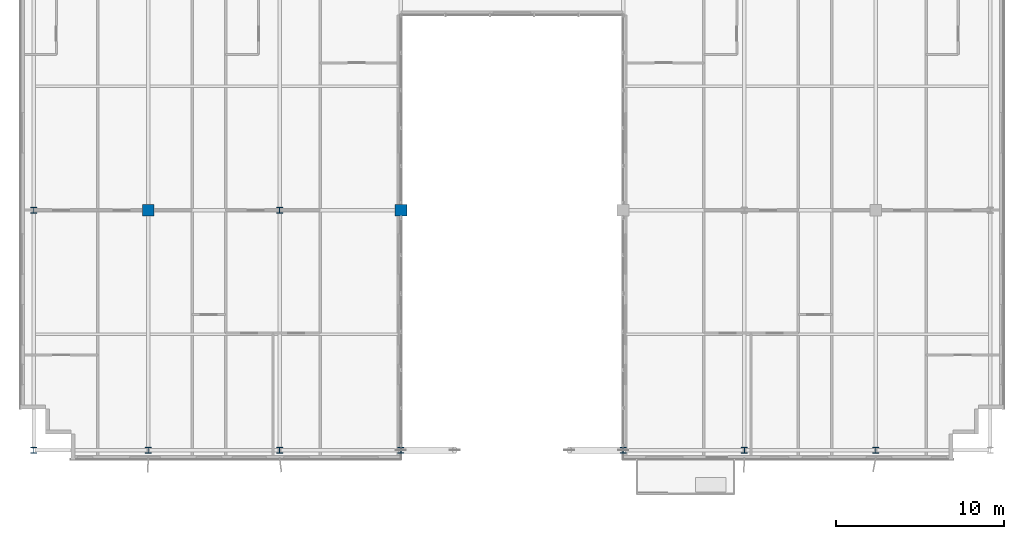
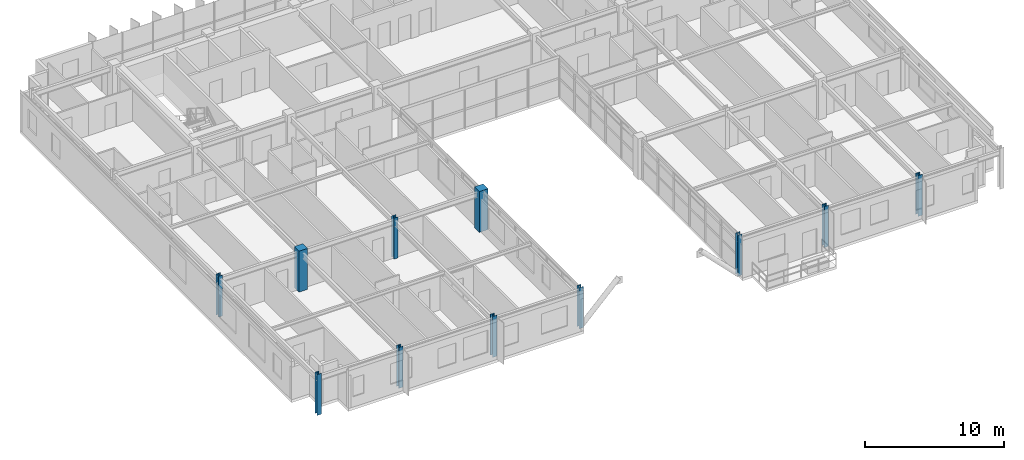
# One storey, part 1 of 34: 11 columns.
"""IFC4 building model written with IfcOpenShell, lengths in metres."""

from ifc_helpers import new_model, si_unit, direction, frame, origin, origin_2d, place, context, subcontext, project, spatial, rectangle, i_section, extrude, source, transform, mapped, material, material_profile, profile_set, type_object, element, save


model = new_model("IFC4")

# Units and contexts
model_context = context("Model", 3, precision=1e-05, world=origin(), true_north=direction((0.0, 1.0)))
body_context = subcontext(model_context, "Body", "Model", "MODEL_VIEW")
ifc_project = project(units=[si_unit("LENGTHUNIT", "METRE"), si_unit("AREAUNIT", "SQUARE_METRE"), si_unit("VOLUMEUNIT", "CUBIC_METRE"), si_unit("PLANEANGLEUNIT", "RADIAN"), si_unit("MASSUNIT", "GRAM", prefix="KILO")], contexts=[model_context])

# Site, building, storey
site_placement = place(None, origin())
site = spatial("IfcSite", under=ifc_project, at=site_placement, CompositionType="ELEMENT")
building_placement = place(site_placement, origin())
building = spatial("IfcBuilding", under=site, at=building_placement, Name="Trelvane Seafront Commons", CompositionType="ELEMENT")
storey_placement = place(building_placement, frame((0.0, 0.0, 197.699951171875)))
storey = spatial("IfcBuildingStorey", under=building, at=storey_placement, Name="L51", CompositionType="ELEMENT", Elevation=197.699951171875)

# Columns
ifc_material_1 = material(Name="Concrete C50/60", Category="concrete")
ifc_material_profile_1 = material_profile(ifc_material_1, rectangle(XDim=0.699951171875, YDim=0.699951171875, at=origin_2d()), Name="RC-700x700")
ifc_profile_set_1 = profile_set([ifc_material_profile_1], Name="Concrete C50/60")
column_type_1 = type_object("IfcColumnType", Name="STR-COL-RC700", PredefinedType="COLUMN", material=ifc_profile_set_1)
shared_shape_1 = source(origin(), body_context, "Body", "SweptSolid", [
    extrude(rectangle(XDim=0.699951171875, YDim=0.699951171875, at=origin_2d()), origin(), (0.0, 0.0, 1.0), 3.60009765625),
])
for number, where, z_axis, x_axis, name in (
    (1, (15.60009765625, 18.199951171875, 0.0), (0.0, 0.0, 1.0), (1.0, 0.0, 0.0), "L51 Column TC-M15.6"),
    (2, (30.60009765625, 18.199951171875, 0.0), (0.0, 0.0, 1.0), (1.0, 0.0, 0.0), "L51 Column TC-M30.6"),
):
    element("IfcColumn", number, at=place(storey_placement, frame(where, z_axis=z_axis, x_axis=x_axis)), inside=storey, type_object=column_type_1, Name=name, PredefinedType="COLUMN", context=body_context, shape_type="MappedRepresentation", body=[
        mapped(shared_shape_1, transform((0.0, 0.0, 0.0), x_axis=(1.0, 0.0, 0.0), y_axis=(0.0, 1.0, 0.0), z_axis=(0.0, 0.0, 1.0), scale=1.0)),
    ])
ifc_material_2 = material(Name="Steel SM355 (S355)", Category="steel")
ifc_material_profile_2 = material_profile(ifc_material_2, i_section(OverallWidth=0.35009765625, OverallDepth=0.35009765625, WebThickness=0.01806640625, FlangeThickness=0.028076171875, at=origin_2d()), Name="HD-350x350x18x28")
ifc_profile_set_2 = profile_set([ifc_material_profile_2], Name="Steel SM355 (S355)")
column_type_2 = type_object("IfcColumnType", Name="STR-COL-HD350", PredefinedType="COLUMN", material=ifc_profile_set_2)
shared_shape_2 = source(origin(), body_context, "Body", "SweptSolid", [
    extrude(i_section(OverallWidth=0.35009765625, OverallDepth=0.35009765625, WebThickness=0.01806640625, FlangeThickness=0.028076171875, at=origin_2d()), origin(), (0.0, 0.0, 1.0), 3.60009765625),
])
for number, where, z_axis, x_axis, name in (
    (3, (8.800048828125, 3.949951171875, 0.0), (0.0, 0.0, 1.0), (1.0, 0.0, 0.0), "L51 Column TC-S8.8"),
    (4, (8.800048828125, 18.199951171875, 0.0), (0.0, 0.0, 1.0), (1.0, 0.0, 0.0), "L51 Column TC-M8.8"),
    (5, (15.60009765625, 3.949951171875, 0.0), (0.0, 0.0, 1.0), (1.0, 0.0, 0.0), "L51 Column TC-S15.6"),
    (6, (23.39990234375, 3.949951171875, 0.0), (0.0, 0.0, 1.0), (1.0, 0.0, 0.0), "L51 Column TC-S23.4"),
    (7, (23.39990234375, 18.199951171875, 0.0), (0.0, 0.0, 1.0), (1.0, 0.0, 0.0), "L51 Column TC-M23.4"),
    (8, (30.60009765625, 3.949951171875, 0.0), (0.0, 0.0, 1.0), (1.0, 0.0, 0.0), "L51 Column TC-S30.6"),
    (9, (43.800048828125, 3.949951171875, 0.0), (0.0, 0.0, 1.0), (1.0, 0.0, 0.0), "L51 Column TC-S43.8"),
    (10, (51.0, 3.949951171875, 0.0), (0.0, 0.0, 1.0), (1.0, 0.0, 0.0), "L51 Column TC-S51.0"),
    (11, (58.800048828125, 3.949951171875, 0.0), (0.0, 0.0, 1.0), (1.0, 0.0, 0.0), "L51 Column TC-S58.8"),
):
    element("IfcColumn", number, at=place(storey_placement, frame(where, z_axis=z_axis, x_axis=x_axis)), inside=storey, type_object=column_type_2, Name=name, PredefinedType="COLUMN", context=body_context, shape_type="MappedRepresentation", body=[
        mapped(shared_shape_2, transform((0.0, 0.0, 0.0), x_axis=(1.0, 0.0, 0.0), y_axis=(0.0, 1.0, 0.0), z_axis=(0.0, 0.0, 1.0), scale=1.0)),
    ])

save(model, "model.ifc")
